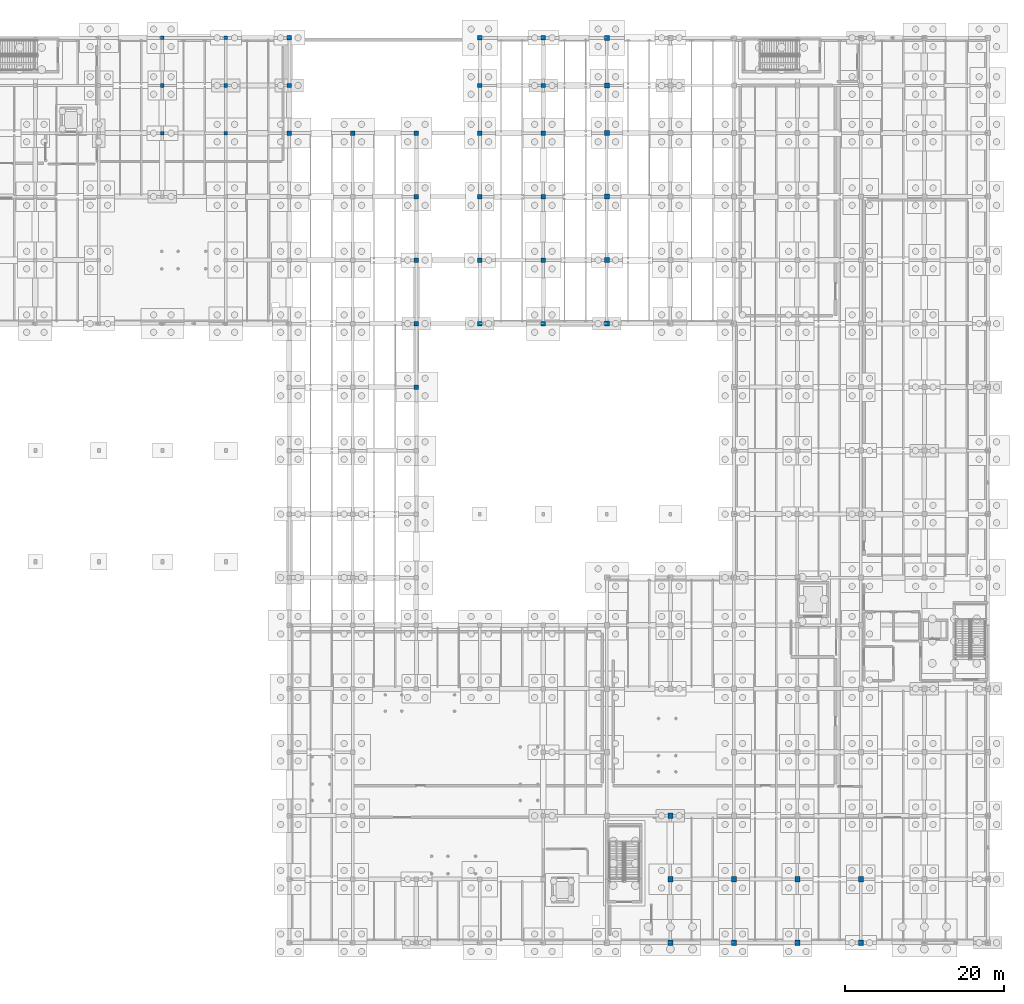
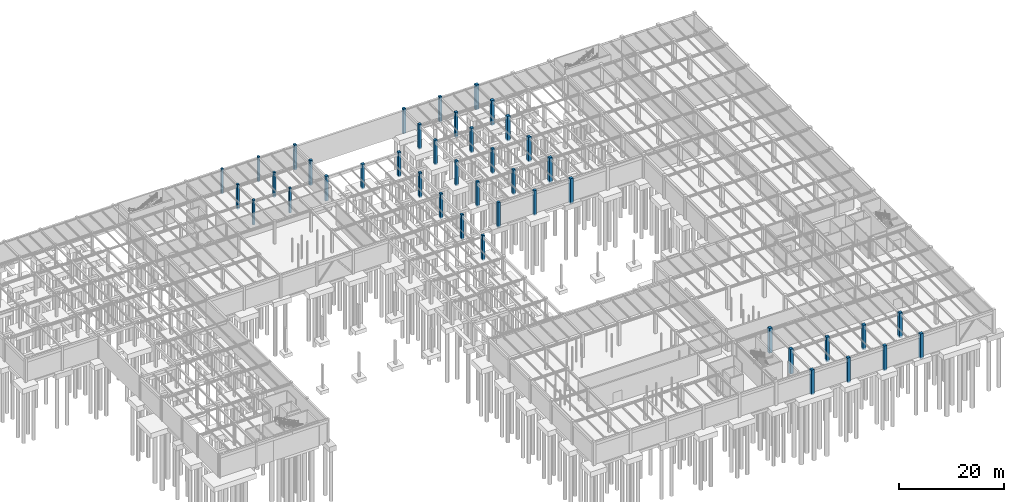
# One storey, part 21 of 71: 42 columns.
"""IFC4 building model written with IfcOpenShell, lengths in metres."""

from ifc_helpers import new_model, si_unit, direction, frame, origin, origin_2d, place, context, subcontext, project, spatial, rectangle, extrude, material, material_profile, profile_set, type_object, element, save


model = new_model("IFC4")

# Units and contexts
model_context = context("Model", 3, precision=1e-05, world=origin(), true_north=direction((0.0, 1.0)))
body_context = subcontext(model_context, "Body", "Model", "MODEL_VIEW")
ifc_project = project(units=[si_unit("LENGTHUNIT", "METRE"), si_unit("AREAUNIT", "SQUARE_METRE"), si_unit("VOLUMEUNIT", "CUBIC_METRE"), si_unit("PLANEANGLEUNIT", "RADIAN"), si_unit("MASSUNIT", "GRAM", prefix="KILO")], contexts=[model_context])

# Site, building, storey
site_placement = place(None, origin())
site = spatial("IfcSite", under=ifc_project, at=site_placement, CompositionType="ELEMENT")
building_placement = place(site_placement, origin())
building = spatial("IfcBuilding", under=site, at=building_placement, Name="Sundkrona Museum", CompositionType="ELEMENT")
storey_placement = place(building_placement, frame((0.0, 0.0, -5.39990234375)))
storey = spatial("IfcBuildingStorey", under=building, at=storey_placement, Name="B1", CompositionType="ELEMENT", Elevation=-5.39990234375)

# Columns
ifc_material = material(Name="Concrete C40/50", Category="concrete")
ifc_material_profile_1 = material_profile(ifc_material, rectangle(XDim=0.449951171875, YDim=0.449951171875, at=origin_2d()), Name="RC 450x450")
ifc_profile_set_1 = profile_set([ifc_material_profile_1], Name="Concrete C40/50")
column_type_1 = type_object("IfcColumnType", Name="C-RC450", PredefinedType="COLUMN", material=ifc_profile_set_1)
for number, where, z_axis, x_axis, name in (
    (1, (64.0, 102.0, -0.400146484375), (0.0, 0.0, 1.0), (1.0, 0.0, 0.0), "B1 Column P/9"),
    (2, (64.0, 108.0, -0.400146484375), (0.0, 0.0, 1.0), (1.0, 0.0, 0.0), "B1 Column Q/9"),
    (3, (64.0, 114.0, -0.400146484375), (0.0, 0.0, 1.0), (1.0, 0.0, 0.0), "B1 Column R/9"),
    (4, (72.0, 102.0, -0.400146484375), (0.0, 0.0, 1.0), (1.0, 0.0, 0.0), "B1 Column P/10"),
    (5, (72.0, 108.0, -0.400146484375), (0.0, 0.0, 1.0), (1.0, 0.0, 0.0), "B1 Column Q/10"),
    (6, (72.0, 114.0, -0.400146484375), (0.0, 0.0, 1.0), (1.0, 0.0, 0.0), "B1 Column R/10"),
):
    element("IfcColumn", number, at=place(storey_placement, frame(where, z_axis=z_axis, x_axis=x_axis)), inside=storey, type_object=column_type_1, Name=name, PredefinedType="COLUMN", context=body_context, shape_type="SweptSolid", body=[
        extrude(rectangle(XDim=0.449951171875, YDim=0.449951171875, at=origin_2d()), origin(), (0.0, 0.0, 1.0), 5.800048828125),
    ])
ifc_material_profile_2 = material_profile(ifc_material, rectangle(XDim=0.550048828125, YDim=0.550048828125, at=origin_2d()), Name="RC 550x550")
ifc_profile_set_2 = profile_set([ifc_material_profile_2], Name="Concrete C40/50")
column_type_2 = type_object("IfcColumnType", Name="C-RC550", PredefinedType="COLUMN", material=ifc_profile_set_2)
for number, where, z_axis, x_axis, name in (
    (7, (80.0, 102.0, -0.400146484375), (0.0, 0.0, 1.0), (1.0, 0.0, 0.0), "B1 Column P/11"),
    (8, (80.0, 108.0, -0.400146484375), (0.0, 0.0, 1.0), (1.0, 0.0, 0.0), "B1 Column Q/11"),
    (9, (80.0, 114.0, -0.400146484375), (0.0, 0.0, 1.0), (1.0, 0.0, 0.0), "B1 Column R/11"),
    (10, (88.0, 102.0, -0.400146484375), (0.0, 0.0, 1.0), (1.0, 0.0, 0.0), "B1 Column P/12"),
    (11, (96.0, 70.0, -0.400146484375), (0.0, 0.0, 1.0), (1.0, 0.0, 0.0), "B1 Column K/13"),
    (12, (96.0, 78.0, -0.400146484375), (0.0, 0.0, 1.0), (1.0, 0.0, 0.0), "B1 Column L/13"),
    (13, (96.0, 86.0, -0.400146484375), (0.0, 0.0, 1.0), (1.0, 0.0, 0.0), "B1 Column M/13"),
    (14, (96.0, 94.0, -0.400146484375), (0.0, 0.0, 1.0), (1.0, 0.0, 0.0), "B1 Column N/13"),
    (15, (96.0, 102.0, -0.400146484375), (0.0, 0.0, 1.0), (1.0, 0.0, 0.0), "B1 Column P/13"),
    (16, (104.0, 78.0, -0.400146484375), (0.0, 0.0, 1.0), (1.0, 0.0, 0.0), "B1 Column L/14"),
    (17, (104.0, 86.0, -0.400146484375), (0.0, 0.0, 1.0), (1.0, 0.0, 0.0), "B1 Column M/14"),
    (18, (104.0, 94.0, -0.400146484375), (0.0, 0.0, 1.0), (1.0, 0.0, 0.0), "B1 Column N/14"),
    (19, (104.0, 102.0, -0.400146484375), (0.0, 0.0, 1.0), (1.0, 0.0, 0.0), "B1 Column P/14"),
    (20, (104.0, 108.0, -0.400146484375), (0.0, 0.0, 1.0), (1.0, 0.0, 0.0), "B1 Column Q/14"),
    (21, (104.0, 114.0, -0.400146484375), (0.0, 0.0, 1.0), (1.0, 0.0, 0.0), "B1 Column R/14"),
    (22, (112.0, 78.0, -0.400146484375), (0.0, 0.0, 1.0), (1.0, 0.0, 0.0), "B1 Column L/15"),
    (23, (112.0, 86.0, -0.400146484375), (0.0, 0.0, 1.0), (1.0, 0.0, 0.0), "B1 Column M/15"),
    (24, (112.0, 94.0, -0.400146484375), (0.0, 0.0, 1.0), (1.0, 0.0, 0.0), "B1 Column N/15"),
    (25, (112.0, 102.0, -0.400146484375), (0.0, 0.0, 1.0), (1.0, 0.0, 0.0), "B1 Column P/15"),
    (26, (112.0, 108.0, -0.400146484375), (0.0, 0.0, 1.0), (1.0, 0.0, 0.0), "B1 Column Q/15"),
    (27, (112.0, 114.0, -0.400146484375), (0.0, 0.0, 1.0), (1.0, 0.0, 0.0), "B1 Column R/15"),
):
    element("IfcColumn", number, at=place(storey_placement, frame(where, z_axis=z_axis, x_axis=x_axis)), inside=storey, type_object=column_type_2, Name=name, PredefinedType="COLUMN", context=body_context, shape_type="SweptSolid", body=[
        extrude(rectangle(XDim=0.550048828125, YDim=0.550048828125, at=origin_2d()), origin(), (0.0, 0.0, 1.0), 5.800048828125),
    ])
ifc_material_profile_3 = material_profile(ifc_material, rectangle(XDim=0.64990234375, YDim=0.64990234375, at=origin_2d()), Name="RC 650x650")
ifc_profile_set_3 = profile_set([ifc_material_profile_3], Name="Concrete C40/50")
column_type_3 = type_object("IfcColumnType", Name="C-RC650", PredefinedType="COLUMN", material=ifc_profile_set_3)
for number, where, z_axis, x_axis, name in (
    (28, (120.0, 78.0, -0.400146484375), (0.0, 0.0, 1.0), (1.0, 0.0, 0.0), "B1 Column L/16"),
    (29, (120.0, 86.0, -0.400146484375), (0.0, 0.0, 1.0), (1.0, 0.0, 0.0), "B1 Column M/16"),
    (30, (120.0, 94.0, -0.400146484375), (0.0, 0.0, 1.0), (1.0, 0.0, 0.0), "B1 Column N/16"),
    (31, (120.0, 102.0, -0.400146484375), (0.0, 0.0, 1.0), (1.0, 0.0, 0.0), "B1 Column P/16"),
    (32, (120.0, 108.0, -0.400146484375), (0.0, 0.0, 1.0), (1.0, 0.0, 0.0), "B1 Column Q/16"),
    (33, (120.0, 114.0, -0.400146484375), (0.0, 0.0, 1.0), (1.0, 0.0, 0.0), "B1 Column R/16"),
    (34, (128.0, 0.0, -0.400146484375), (0.0, 0.0, 1.0), (1.0, 0.0, 0.0), "B1 Column A/17"),
    (35, (128.0, 8.0, -0.400146484375), (0.0, 0.0, 1.0), (1.0, 0.0, 0.0), "B1 Column B/17"),
    (36, (128.0, 16.0, -0.400146484375), (0.0, 0.0, 1.0), (1.0, 0.0, 0.0), "B1 Column C/17"),
    (37, (136.0, 0.0, -0.400146484375), (0.0, 0.0, 1.0), (1.0, 0.0, 0.0), "B1 Column A/18"),
    (38, (136.0, 8.0, -0.400146484375), (0.0, 0.0, 1.0), (1.0, 0.0, 0.0), "B1 Column B/18"),
    (39, (144.0, 0.0, -0.400146484375), (0.0, 0.0, 1.0), (1.0, 0.0, 0.0), "B1 Column A/19"),
    (40, (144.0, 8.0, -0.400146484375), (0.0, 0.0, 1.0), (1.0, 0.0, 0.0), "B1 Column B/19"),
    (41, (152.0, 0.0, -0.400146484375), (0.0, 0.0, 1.0), (1.0, 0.0, 0.0), "B1 Column A/20"),
    (42, (152.0, 8.0, -0.400146484375), (0.0, 0.0, 1.0), (1.0, 0.0, 0.0), "B1 Column B/20"),
):
    element("IfcColumn", number, at=place(storey_placement, frame(where, z_axis=z_axis, x_axis=x_axis)), inside=storey, type_object=column_type_3, Name=name, PredefinedType="COLUMN", context=body_context, shape_type="SweptSolid", body=[
        extrude(rectangle(XDim=0.64990234375, YDim=0.64990234375, at=origin_2d()), origin(), (0.0, 0.0, 1.0), 5.800048828125),
    ])

save(model, "model.ifc")
